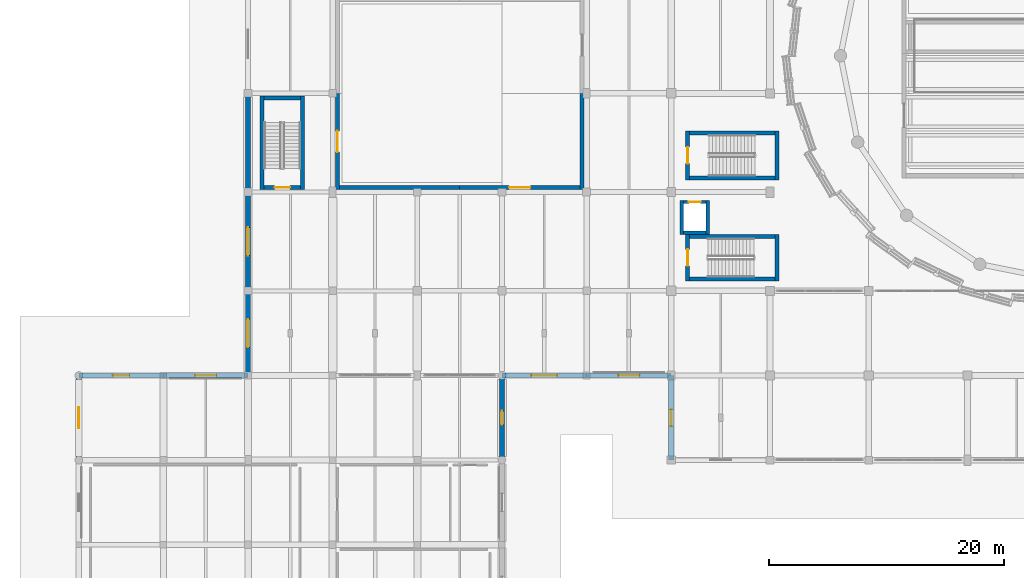
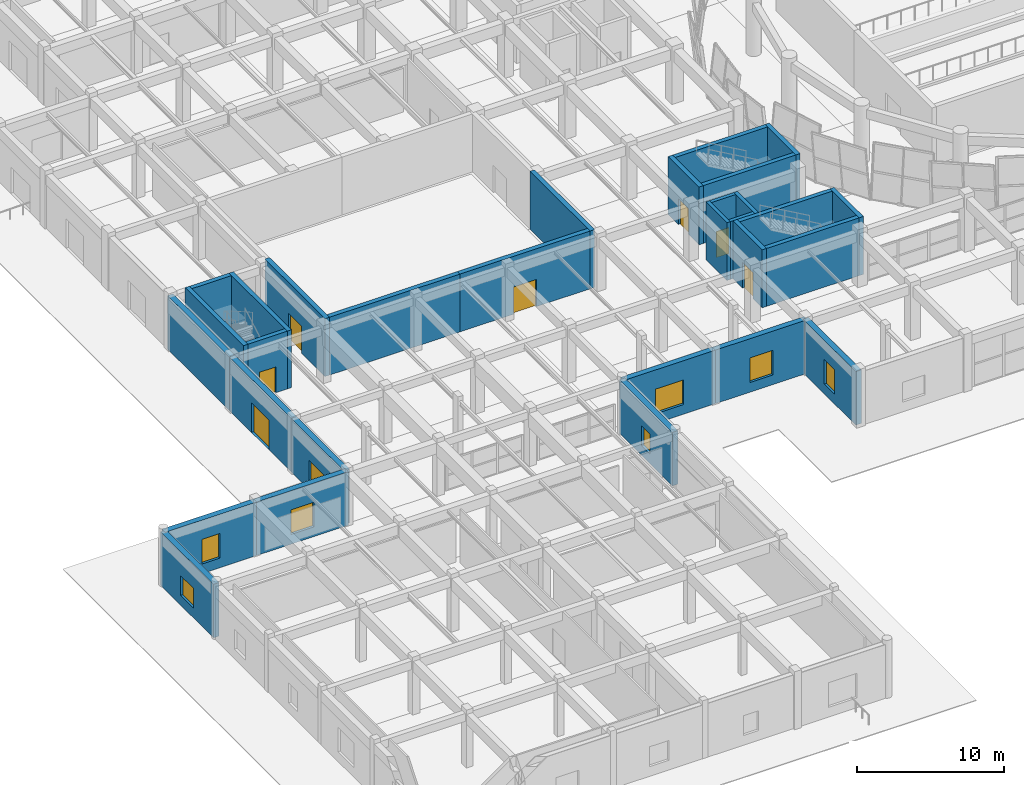
# One storey, part 46 of 72: 30 walls, 8 doors, 7 windows, 15 openings.
"""IFC4 building model written with IfcOpenShell, lengths in metres."""

from ifc_helpers import new_model, si_unit, direction, frame, frame_2d, origin, place, context, subcontext, project, spatial, rectangle, extrude, material, layer, layer_set, type_object, element, fill, save


model = new_model("IFC4")

# Units and contexts
model_context = context("Model", 3, precision=1e-05, world=origin(), true_north=direction((0.0, 1.0)))
body_context = subcontext(model_context, "Body", "Model", "MODEL_VIEW")
ifc_project = project(units=[si_unit("LENGTHUNIT", "METRE"), si_unit("AREAUNIT", "SQUARE_METRE"), si_unit("VOLUMEUNIT", "CUBIC_METRE"), si_unit("PLANEANGLEUNIT", "RADIAN"), si_unit("MASSUNIT", "GRAM", prefix="KILO")], contexts=[model_context])

# Site, building, storey
site_placement = place(None, origin())
site = spatial("IfcSite", under=ifc_project, at=site_placement, CompositionType="ELEMENT")
building_placement = place(site_placement, origin())
building = spatial("IfcBuilding", under=site, at=building_placement, Name="Korsvaeld Concert Hall", CompositionType="ELEMENT")
storey_placement = place(building_placement, origin())
storey = spatial("IfcBuildingStorey", under=building, at=storey_placement, Name="L00", CompositionType="ELEMENT", Elevation=0.0)

# Walls
ifc_material_1 = material(Name="Concrete C40/50", Category="concrete")
ifc_layer_1 = layer(ifc_material_1, 0.340087890625)
ifc_layer_set_1 = layer_set([ifc_layer_1], Name="Concrete C40/50")
wall_type_1 = type_object("IfcWallType", Name="WL-CORE-340", PredefinedType="SHEAR", material=ifc_layer_set_1)
wall_1_placement = place(storey_placement, frame((51.969970703125, 44.199951171875, 0.0), z_axis=(0.0, 0.0, 1.0), x_axis=(1.0, 0.0, 0.0)))
element("IfcWall", 1, at=wall_1_placement, inside=storey, type_object=wall_type_1, Name="Core K3 shear wall L00 S", PredefinedType="SHEAR", context=body_context, shape_type="SweptSolid", body=[
    extrude(rectangle(XDim=7.260009765625, YDim=0.340087890625, at=frame_2d((3.6298828125, 0.0))), origin(), (0.0, 0.0, 1.0), 4.800048828125),
])
wall_2_placement = place(storey_placement, frame((59.39990234375, 44.030029296875, 0.0), z_axis=(0.0, 0.0, 1.0), x_axis=(0.0, 1.0, 0.0)))
element("IfcWall", 2, at=wall_2_placement, inside=storey, type_object=wall_type_1, Name="Core K3 shear wall L00 E", PredefinedType="SHEAR", context=body_context, shape_type="SweptSolid", body=[
    extrude(rectangle(XDim=3.97998046875, YDim=0.340087890625, at=frame_2d((1.989990234375, 0.0))), origin(), (0.0, 0.0, 1.0), 4.800048828125),
])
wall_3_placement = place(storey_placement, frame((59.22998046875, 47.840087890625, 0.0), z_axis=(0.0, 0.0, 1.0), x_axis=(-1.0, 0.0, 0.0)))
element("IfcWall", 3, at=wall_3_placement, inside=storey, type_object=wall_type_1, Name="Core K3 shear wall L00 N", PredefinedType="SHEAR", context=body_context, shape_type="SweptSolid", body=[
    extrude(rectangle(XDim=7.260009765625, YDim=0.340087890625, at=frame_2d((3.6298828125, 0.0))), origin(), (0.0, 0.0, 1.0), 4.800048828125),
])

# Wall, opening, door
wall_4_placement = place(storey_placement, frame((51.800048828125, 48.010009765625, 0.0), z_axis=(0.0, 0.0, 1.0), x_axis=(0.0, -1.0, 0.0)))
wall_4 = element("IfcWall", 4, at=wall_4_placement, inside=storey, type_object=wall_type_1, Name="Core K3 shear wall L00 W", PredefinedType="SHEAR", context=body_context, shape_type="SweptSolid", body=[
    extrude(rectangle(XDim=3.97998046875, YDim=0.340087890625, at=frame_2d((1.989990234375, 0.0))), origin(), (0.0, 0.0, 1.0), 4.800048828125),
])
opening_1_placement = place(wall_4_placement, frame((1.2900390625, 0.0, 0.0)))
opening_1 = element("IfcOpeningElement", 5, at=opening_1_placement, cuts=wall_4, Name="Opening FD-02", PredefinedType="OPENING", context=body_context, shape_type="SweptSolid", body=[
    extrude(rectangle(XDim=1.39990234375, YDim=2.14990234375, at=frame_2d((0.699951171875, 1.074951171875))), frame((0.0, 0.18017578125, 0.0), z_axis=(0.0, -1.0, 0.0), x_axis=(1.0, 0.0, 0.0)), (0.0, 0.0, 1.0), 0.360107421875),
])
ifc_material_2 = material(Name="Acoustic steel and oak fire door", Category="steel")
door_type_1 = type_object("IfcDoorType", Name="DR-FD-STAIR-140x215", OperationType="NOTDEFINED", PredefinedType="DOOR", material=ifc_material_2)
door_1_placement = place(opening_1_placement, frame((1.39990234375, 0.0, 0.0), z_axis=(0.0, 0.0, 1.0), x_axis=(-1.0, 0.0, 0.0)))
door_1 = element("IfcDoor", 6, at=door_1_placement, inside=storey, type_object=door_type_1, Name="Escape stair ST-K3 fire door L00", OperationType="SINGLE_SWING_RIGHT", OverallHeight=2.14990234375, OverallWidth=1.39990234375, PredefinedType="DOOR", context=body_context, shape_type="SweptSolid", body=[
    extrude(rectangle(XDim=1.39990234375, YDim=2.14990234375, at=frame_2d((0.699951171875, 1.074951171875))), frame((0.0, 0.02490234375, 0.0), z_axis=(0.0, -1.0, 0.0), x_axis=(1.0, 0.0, 0.0)), (0.0, 0.0, 1.0), 0.050048828125),
])
fill(opening_1, door_1)

# Walls
wall_5_placement = place(storey_placement, frame((51.969970703125, 52.800048828125, 0.0), z_axis=(0.0, 0.0, 1.0), x_axis=(1.0, 0.0, 0.0)))
element("IfcWall", 7, at=wall_5_placement, inside=storey, type_object=wall_type_1, Name="Core F1 shear wall L00 S", PredefinedType="SHEAR", context=body_context, shape_type="SweptSolid", body=[
    extrude(rectangle(XDim=7.260009765625, YDim=0.340087890625, at=frame_2d((3.6298828125, 0.0))), origin(), (0.0, 0.0, 1.0), 4.800048828125),
])
wall_6_placement = place(storey_placement, frame((59.39990234375, 52.6298828125, 0.0), z_axis=(0.0, 0.0, 1.0), x_axis=(0.0, 1.0, 0.0)))
element("IfcWall", 8, at=wall_6_placement, inside=storey, type_object=wall_type_1, Name="Core F1 shear wall L00 E", PredefinedType="SHEAR", context=body_context, shape_type="SweptSolid", body=[
    extrude(rectangle(XDim=4.18017578125, YDim=0.340087890625, at=frame_2d((2.090087890625, 0.0))), origin(), (0.0, 0.0, 1.0), 4.800048828125),
])
wall_7_placement = place(storey_placement, frame((59.22998046875, 56.639892578125, 0.0), z_axis=(0.0, 0.0, 1.0), x_axis=(-1.0, 0.0, 0.0)))
element("IfcWall", 9, at=wall_7_placement, inside=storey, type_object=wall_type_1, Name="Core F1 shear wall L00 N", PredefinedType="SHEAR", context=body_context, shape_type="SweptSolid", body=[
    extrude(rectangle(XDim=7.260009765625, YDim=0.340087890625, at=frame_2d((3.6298828125, 0.0))), origin(), (0.0, 0.0, 1.0), 4.800048828125),
])

# Wall, opening, door
wall_8_placement = place(storey_placement, frame((51.800048828125, 56.81005859375, 0.0), z_axis=(0.0, 0.0, 1.0), x_axis=(0.0, -1.0, 0.0)))
wall_8 = element("IfcWall", 10, at=wall_8_placement, inside=storey, type_object=wall_type_1, Name="Core F1 shear wall L00 W", PredefinedType="SHEAR", context=body_context, shape_type="SweptSolid", body=[
    extrude(rectangle(XDim=4.18017578125, YDim=0.340087890625, at=frame_2d((2.090087890625, 0.0))), origin(), (0.0, 0.0, 1.0), 4.800048828125),
])
opening_2_placement = place(wall_8_placement, frame((1.389892578125, 0.0, 0.0)))
opening_2 = element("IfcOpeningElement", 11, at=opening_2_placement, cuts=wall_8, Name="Opening FD-02", PredefinedType="OPENING", context=body_context, shape_type="SweptSolid", body=[
    extrude(rectangle(XDim=1.39990234375, YDim=2.14990234375, at=frame_2d((0.699951171875, 1.074951171875))), frame((0.0, 0.18017578125, 0.0), z_axis=(0.0, -1.0, 0.0), x_axis=(1.0, 0.0, 0.0)), (0.0, 0.0, 1.0), 0.360107421875),
])
door_2_placement = place(opening_2_placement, frame((1.39990234375, 0.0, 0.0), z_axis=(0.0, 0.0, 1.0), x_axis=(-1.0, 0.0, 0.0)))
door_2 = element("IfcDoor", 12, at=door_2_placement, inside=storey, type_object=door_type_1, Name="Escape stair ST-F1 fire door L00", OperationType="SINGLE_SWING_LEFT", OverallHeight=2.14990234375, OverallWidth=1.39990234375, PredefinedType="DOOR", context=body_context, shape_type="SweptSolid", body=[
    extrude(rectangle(XDim=1.39990234375, YDim=2.14990234375, at=frame_2d((0.699951171875, 1.074951171875))), frame((0.0, 0.02490234375, 0.0), z_axis=(0.0, -1.0, 0.0), x_axis=(1.0, 0.0, 0.0)), (0.0, 0.0, 1.0), 0.050048828125),
])
fill(opening_2, door_2)

wall_9_placement = place(storey_placement, frame((15.77001953125, 52.0, 0.0), z_axis=(0.0, 0.0, 1.0), x_axis=(1.0, 0.0, 0.0)))
wall_9 = element("IfcWall", 13, at=wall_9_placement, inside=storey, type_object=wall_type_1, Name="Core V3S shear wall L00 S", PredefinedType="SHEAR", context=body_context, shape_type="SweptSolid", body=[
    extrude(rectangle(XDim=3.10009765625, YDim=0.340087890625, at=frame_2d((1.550048828125, 0.0))), origin(), (0.0, 0.0, 1.0), 4.800048828125),
])
opening_3_placement = place(wall_9_placement, frame((0.89990234375, 0.0, 0.0)))
opening_3 = element("IfcOpeningElement", 14, at=opening_3_placement, cuts=wall_9, Name="Opening FD-01", PredefinedType="OPENING", context=body_context, shape_type="SweptSolid", body=[
    extrude(rectangle(XDim=1.300048828125, YDim=2.14990234375, at=frame_2d((0.64990234375, 1.074951171875))), frame((0.0, 0.18017578125, 0.0), z_axis=(0.0, -1.0, 0.0), x_axis=(1.0, 0.0, 0.0)), (0.0, 0.0, 1.0), 0.360107421875),
])
door_type_2 = type_object("IfcDoorType", Name="DR-FD-STAIR-130x215", OperationType="NOTDEFINED", PredefinedType="DOOR", material=ifc_material_2)
door_3_placement = place(opening_3_placement, frame((1.300048828125, 0.0, 0.0), z_axis=(0.0, 0.0, 1.0), x_axis=(-1.0, 0.0, 0.0)))
door_3 = element("IfcDoor", 15, at=door_3_placement, inside=storey, type_object=door_type_2, Name="Escape stair ST-F3 fire door L00", OperationType="SINGLE_SWING_LEFT", OverallHeight=2.14990234375, OverallWidth=1.300048828125, PredefinedType="DOOR", context=body_context, shape_type="SweptSolid", body=[
    extrude(rectangle(XDim=1.300048828125, YDim=2.14990234375, at=frame_2d((0.64990234375, 1.074951171875))), frame((0.0, 0.02490234375, 0.0), z_axis=(0.0, -1.0, 0.0), x_axis=(1.0, 0.0, 0.0)), (0.0, 0.0, 1.0), 0.050048828125),
])
fill(opening_3, door_3)

# Walls
wall_10_placement = place(storey_placement, frame((19.0400390625, 51.830078125, 0.0), z_axis=(0.0, 0.0, 1.0), x_axis=(0.0, 1.0, 0.0)))
element("IfcWall", 16, at=wall_10_placement, inside=storey, type_object=wall_type_1, Name="Core V3S shear wall L00 E", PredefinedType="SHEAR", context=body_context, shape_type="SweptSolid", body=[
    extrude(rectangle(XDim=7.93994140625, YDim=0.340087890625, at=frame_2d((3.969970703125, 0.0))), origin(), (0.0, 0.0, 1.0), 4.800048828125),
])
wall_11_placement = place(storey_placement, frame((18.8701171875, 59.60009765625, 0.0), z_axis=(0.0, 0.0, 1.0), x_axis=(-1.0, 0.0, 0.0)))
element("IfcWall", 17, at=wall_11_placement, inside=storey, type_object=wall_type_1, Name="Core V3S shear wall L00 N", PredefinedType="SHEAR", context=body_context, shape_type="SweptSolid", body=[
    extrude(rectangle(XDim=3.10009765625, YDim=0.340087890625, at=frame_2d((1.550048828125, 0.0))), origin(), (0.0, 0.0, 1.0), 4.800048828125),
])
wall_12_placement = place(storey_placement, frame((15.60009765625, 59.77001953125, 0.0), z_axis=(0.0, 0.0, 1.0), x_axis=(0.0, -1.0, 0.0)))
element("IfcWall", 18, at=wall_12_placement, inside=storey, type_object=wall_type_1, Name="Core V3S shear wall L00 W", PredefinedType="SHEAR", context=body_context, shape_type="SweptSolid", body=[
    extrude(rectangle(XDim=7.93994140625, YDim=0.340087890625, at=frame_2d((3.969970703125, 0.0))), origin(), (0.0, 0.0, 1.0), 4.800048828125),
])

# Wall, opening, door
ifc_material_3 = material(Name="Coastal dark grey granite plinth on Concrete C35/45", Category="masonry")
ifc_layer_2 = layer(ifc_material_3, 0.43994140625)
ifc_layer_set_2 = layer_set([ifc_layer_2], Name="Coastal dark grey granite plinth on Concrete C35/45")
wall_type_2 = type_object("IfcWallType", Name="WL-EXT-GRAN-440", PredefinedType="STANDARD", material=ifc_layer_set_2)
wall_13_placement = place(storey_placement, frame((14.39990234375, 36.0, 0.0), z_axis=(0.0, 0.0, 1.0), x_axis=(0.0, 1.0, 0.0)))
wall_13 = element("IfcWall", 19, at=wall_13_placement, inside=storey, type_object=wall_type_2, Name="Exterior sandstone wall L00-053", PredefinedType="STANDARD", context=body_context, shape_type="SweptSolid", body=[
    extrude(rectangle(XDim=7.199951171875, YDim=0.43994140625, at=frame_2d((3.60009765625, 0.0))), origin(), (0.0, 0.0, 1.0), 4.43994140625),
])
opening_4_placement = place(wall_13_placement, frame((2.39990234375, 0.0, 0.0)))
opening_4 = element("IfcOpeningElement", 20, at=opening_4_placement, cuts=wall_13, Name="Opening ED-01", PredefinedType="OPENING", context=body_context, shape_type="SweptSolid", body=[
    extrude(rectangle(XDim=2.39990234375, YDim=2.449951171875, at=frame_2d((1.199951171875, 1.22509765625))), frame((0.0, 0.22998046875, 0.0), z_axis=(0.0, -1.0, 0.0), x_axis=(1.0, 0.0, 0.0)), (0.0, 0.0, 1.0), 0.4599609375),
])
ifc_material_4 = material(Name="Anodised bronze glazed exit door")
door_type_3 = type_object("IfcDoorType", Name="DR-EXT-240x245", OperationType="DOUBLE_DOOR_SINGLE_SWING", PredefinedType="DOOR", material=ifc_material_4)
door_4_placement = place(opening_4_placement, frame((2.39990234375, 0.0, 0.0), z_axis=(0.0, 0.0, 1.0), x_axis=(-1.0, 0.0, 0.0)))
door_4 = element("IfcDoor", 21, at=door_4_placement, inside=storey, type_object=door_type_3, Name="Ground plaza pedestrian exit door EX-01", OperationType="DOUBLE_DOOR_SINGLE_SWING", OverallHeight=2.449951171875, OverallWidth=2.39990234375, PredefinedType="DOOR", context=body_context, shape_type="SweptSolid", body=[
    extrude(rectangle(XDim=2.39990234375, YDim=2.449951171875, at=frame_2d((1.199951171875, 1.22509765625))), frame((0.0, 0.02490234375, 0.0), z_axis=(0.0, -1.0, 0.0), x_axis=(1.0, 0.0, 0.0)), (0.0, 0.0, 1.0), 0.050048828125),
])
fill(opening_4, door_4)

wall_14_placement = place(storey_placement, frame((14.39990234375, 43.199951171875, 0.0), z_axis=(0.0, 0.0, 1.0), x_axis=(0.0, 1.0, 0.0)))
wall_14 = element("IfcWall", 22, at=wall_14_placement, inside=storey, type_object=wall_type_2, Name="Exterior sandstone wall L00-054", PredefinedType="STANDARD", context=body_context, shape_type="SweptSolid", body=[
    extrude(rectangle(XDim=8.400146484375, YDim=0.43994140625, at=frame_2d((4.2001953125, 0.0))), origin(), (0.0, 0.0, 1.0), 4.43994140625),
])
opening_5_placement = place(wall_14_placement, frame((3.0, 0.0, 0.0)))
opening_5 = element("IfcOpeningElement", 23, at=opening_5_placement, cuts=wall_14, Name="Opening ED-01", PredefinedType="OPENING", context=body_context, shape_type="SweptSolid", body=[
    extrude(rectangle(XDim=2.39990234375, YDim=2.449951171875, at=frame_2d((1.199951171875, 1.22509765625))), frame((0.0, 0.22998046875, 0.0), z_axis=(0.0, -1.0, 0.0), x_axis=(1.0, 0.0, 0.0)), (0.0, 0.0, 1.0), 0.4599609375),
])
door_5_placement = place(opening_5_placement, frame((2.39990234375, 0.0, 0.0), z_axis=(0.0, 0.0, 1.0), x_axis=(-1.0, 0.0, 0.0)))
door_5 = element("IfcDoor", 24, at=door_5_placement, inside=storey, type_object=door_type_3, Name="Ground plaza pedestrian exit door EX-02", OperationType="DOUBLE_DOOR_SINGLE_SWING", OverallHeight=2.449951171875, OverallWidth=2.39990234375, PredefinedType="DOOR", context=body_context, shape_type="SweptSolid", body=[
    extrude(rectangle(XDim=2.39990234375, YDim=2.449951171875, at=frame_2d((1.199951171875, 1.22509765625))), frame((0.0, 0.02490234375, 0.0), z_axis=(0.0, -1.0, 0.0), x_axis=(1.0, 0.0, 0.0)), (0.0, 0.0, 1.0), 0.050048828125),
])
fill(opening_5, door_5)

# Wall
wall_15_placement = place(storey_placement, frame((14.39990234375, 51.60009765625, 0.0), z_axis=(0.0, 0.0, 1.0), x_axis=(0.0, 1.0, 0.0)))
element("IfcWall", 25, at=wall_15_placement, inside=storey, type_object=wall_type_2, Name="Exterior sandstone wall L00-055", PredefinedType="STANDARD", context=body_context, shape_type="SweptSolid", body=[
    extrude(rectangle(XDim=8.39990234375, YDim=0.43994140625, at=frame_2d((4.199951171875, 0.0))), origin(), (0.0, 0.0, 1.0), 4.43994140625),
])

# Wall, opening, window
wall_16_placement = place(storey_placement, frame((50.39990234375, 28.800048828125, 0.0), z_axis=(0.0, 0.0, 1.0), x_axis=(0.0, 1.0, 0.0)))
wall_16 = element("IfcWall", 26, at=wall_16_placement, inside=storey, type_object=wall_type_2, Name="Exterior sandstone wall L00-119", PredefinedType="STANDARD", context=body_context, shape_type="SweptSolid", body=[
    extrude(rectangle(XDim=7.199951171875, YDim=0.43994140625, at=frame_2d((3.60009765625, 0.0))), origin(), (0.0, 0.0, 1.0), 4.43994140625),
])
opening_6_placement = place(wall_16_placement, frame((2.89990234375, 0.0, 0.800048828125)))
opening_6 = element("IfcOpeningElement", 27, at=opening_6_placement, cuts=wall_16, Name="Opening WN-11", PredefinedType="OPENING", context=body_context, shape_type="SweptSolid", body=[
    extrude(rectangle(XDim=1.39990234375, YDim=2.050048828125, at=frame_2d((0.699951171875, 1.02490234375))), frame((0.0, 0.22998046875, 0.0), z_axis=(0.0, -1.0, 0.0), x_axis=(1.0, 0.0, 0.0)), (0.0, 0.0, 1.0), 0.4599609375),
])
ifc_material_5 = material(Name="Anodised bronze frame with acoustic triple glazing", Category="glass")
window_type_1 = type_object("IfcWindowType", Name="WIN-AC-140x205", PartitioningType="SINGLE_PANEL", PredefinedType="WINDOW", material=ifc_material_5)
window_1_placement = place(opening_6_placement, origin())
window_1 = element("IfcWindow", 28, at=window_1_placement, inside=storey, type_object=window_type_1, Name="Acoustic triple-glazed window L00-030", OverallHeight=2.050048828125, OverallWidth=1.39990234375, PartitioningType="SINGLE_PANEL", PredefinedType="WINDOW", context=body_context, shape_type="SweptSolid", body=[
    extrude(rectangle(XDim=1.39990234375, YDim=2.050048828125, at=frame_2d((0.699951171875, 1.02490234375))), frame((0.0, 0.030029296875, 0.0), z_axis=(0.0, -1.0, 0.0), x_axis=(1.0, 0.0, 0.0)), (0.0, 0.0, 1.0), 0.06005859375),
])
fill(opening_6, window_1)

wall_17_placement = place(storey_placement, frame((50.39990234375, 36.0, 0.0), z_axis=(0.0, 0.0, 1.0), x_axis=(-1.0, 0.0, 0.0)))
wall_17 = element("IfcWall", 29, at=wall_17_placement, inside=storey, type_object=wall_type_2, Name="Exterior sandstone wall L00-120", PredefinedType="STANDARD", context=body_context, shape_type="SweptSolid", body=[
    extrude(rectangle(XDim=7.199951171875, YDim=0.43994140625, at=frame_2d((3.60009765625, 0.0))), origin(), (0.0, 0.0, 1.0), 4.43994140625),
])
opening_7_placement = place(wall_17_placement, frame((2.699951171875, 0.0, 0.800048828125)))
opening_7 = element("IfcOpeningElement", 30, at=opening_7_placement, cuts=wall_17, Name="Opening WN-12", PredefinedType="OPENING", context=body_context, shape_type="SweptSolid", body=[
    extrude(rectangle(XDim=1.800048828125, YDim=2.050048828125, at=frame_2d((0.89990234375, 1.02490234375))), frame((0.0, 0.22998046875, 0.0), z_axis=(0.0, -1.0, 0.0), x_axis=(1.0, 0.0, 0.0)), (0.0, 0.0, 1.0), 0.4599609375),
])
window_type_2 = type_object("IfcWindowType", Name="WIN-AC-180x205", PartitioningType="SINGLE_PANEL", PredefinedType="WINDOW", material=ifc_material_5)
window_2_placement = place(opening_7_placement, origin())
window_2 = element("IfcWindow", 31, at=window_2_placement, inside=storey, type_object=window_type_2, Name="Acoustic triple-glazed window L00-031", OverallHeight=2.050048828125, OverallWidth=1.800048828125, PartitioningType="SINGLE_PANEL", PredefinedType="WINDOW", context=body_context, shape_type="SweptSolid", body=[
    extrude(rectangle(XDim=1.800048828125, YDim=2.050048828125, at=frame_2d((0.89990234375, 1.02490234375))), frame((0.0, 0.030029296875, 0.0), z_axis=(0.0, -1.0, 0.0), x_axis=(1.0, 0.0, 0.0)), (0.0, 0.0, 1.0), 0.06005859375),
])
fill(opening_7, window_2)

wall_18_placement = place(storey_placement, frame((43.199951171875, 36.0, 0.0), z_axis=(0.0, 0.0, 1.0), x_axis=(-1.0, 0.0, 0.0)))
wall_18 = element("IfcWall", 32, at=wall_18_placement, inside=storey, type_object=wall_type_2, Name="Exterior sandstone wall L00-121", PredefinedType="STANDARD", context=body_context, shape_type="SweptSolid", body=[
    extrude(rectangle(XDim=7.199951171875, YDim=0.43994140625, at=frame_2d((3.60009765625, 0.0))), origin(), (0.0, 0.0, 1.0), 4.43994140625),
])
opening_8_placement = place(wall_18_placement, frame((2.5, 0.0, 0.800048828125)))
opening_8 = element("IfcOpeningElement", 33, at=opening_8_placement, cuts=wall_18, Name="Opening WN-13", PredefinedType="OPENING", context=body_context, shape_type="SweptSolid", body=[
    extrude(rectangle(XDim=2.199951171875, YDim=2.050048828125, at=frame_2d((1.10009765625, 1.02490234375))), frame((0.0, 0.22998046875, 0.0), z_axis=(0.0, -1.0, 0.0), x_axis=(1.0, 0.0, 0.0)), (0.0, 0.0, 1.0), 0.4599609375),
])
window_type_3 = type_object("IfcWindowType", Name="WIN-AC-220x205", PartitioningType="SINGLE_PANEL", PredefinedType="WINDOW", material=ifc_material_5)
window_3_placement = place(opening_8_placement, origin())
window_3 = element("IfcWindow", 34, at=window_3_placement, inside=storey, type_object=window_type_3, Name="Acoustic triple-glazed window L00-032", OverallHeight=2.050048828125, OverallWidth=2.199951171875, PartitioningType="SINGLE_PANEL", PredefinedType="WINDOW", context=body_context, shape_type="SweptSolid", body=[
    extrude(rectangle(XDim=2.199951171875, YDim=2.050048828125, at=frame_2d((1.10009765625, 1.02490234375))), frame((0.0, 0.030029296875, 0.0), z_axis=(0.0, -1.0, 0.0), x_axis=(1.0, 0.0, 0.0)), (0.0, 0.0, 1.0), 0.06005859375),
])
fill(opening_8, window_3)

wall_19_placement = place(storey_placement, frame((36.0, 36.0, 0.0), z_axis=(0.0, 0.0, 1.0), x_axis=(0.0, -1.0, 0.0)))
wall_19 = element("IfcWall", 35, at=wall_19_placement, inside=storey, type_object=wall_type_2, Name="Exterior sandstone wall L00-122", PredefinedType="STANDARD", context=body_context, shape_type="SweptSolid", body=[
    extrude(rectangle(XDim=7.199951171875, YDim=0.43994140625, at=frame_2d((3.60009765625, 0.0))), origin(), (0.0, 0.0, 1.0), 4.43994140625),
])
opening_9_placement = place(wall_19_placement, frame((3.0, 0.0, 0.800048828125)))
opening_9 = element("IfcOpeningElement", 36, at=opening_9_placement, cuts=wall_19, Name="Opening WN-01", PredefinedType="OPENING", context=body_context, shape_type="SweptSolid", body=[
    extrude(rectangle(XDim=1.199951171875, YDim=1.64990234375, at=frame_2d((0.60009765625, 0.824951171875))), frame((0.0, 0.22998046875, 0.0), z_axis=(0.0, -1.0, 0.0), x_axis=(1.0, 0.0, 0.0)), (0.0, 0.0, 1.0), 0.4599609375),
])
window_type_4 = type_object("IfcWindowType", Name="WIN-AC-120x165", PartitioningType="SINGLE_PANEL", PredefinedType="WINDOW", material=ifc_material_5)
window_4_placement = place(opening_9_placement, origin())
window_4 = element("IfcWindow", 37, at=window_4_placement, inside=storey, type_object=window_type_4, Name="Acoustic triple-glazed window L00-033", OverallHeight=1.64990234375, OverallWidth=1.199951171875, PartitioningType="SINGLE_PANEL", PredefinedType="WINDOW", context=body_context, shape_type="SweptSolid", body=[
    extrude(rectangle(XDim=1.199951171875, YDim=1.64990234375, at=frame_2d((0.60009765625, 0.824951171875))), frame((0.0, 0.030029296875, 0.0), z_axis=(0.0, -1.0, 0.0), x_axis=(1.0, 0.0, 0.0)), (0.0, 0.0, 1.0), 0.06005859375),
])
fill(opening_9, window_4)

wall_20_placement = place(storey_placement, frame((0.0, 28.800048828125, 0.0), z_axis=(0.0, 0.0, 1.0), x_axis=(0.0, 1.0, 0.0)))
wall_20 = element("IfcWall", 38, at=wall_20_placement, inside=storey, type_object=wall_type_2, Name="Exterior sandstone wall L00-136", PredefinedType="STANDARD", context=body_context, shape_type="SweptSolid", body=[
    extrude(rectangle(XDim=7.199951171875, YDim=0.43994140625, at=frame_2d((3.60009765625, 0.0))), origin(), (0.0, 0.0, 1.0), 4.43994140625),
])
opening_10_placement = place(wall_20_placement, frame((2.699951171875, 0.0, 0.800048828125)))
opening_10 = element("IfcOpeningElement", 39, at=opening_10_placement, cuts=wall_20, Name="Opening WN-03", PredefinedType="OPENING", context=body_context, shape_type="SweptSolid", body=[
    extrude(rectangle(XDim=1.800048828125, YDim=1.64990234375, at=frame_2d((0.89990234375, 0.824951171875))), frame((0.0, 0.22998046875, 0.0), z_axis=(0.0, -1.0, 0.0), x_axis=(1.0, 0.0, 0.0)), (0.0, 0.0, 1.0), 0.4599609375),
])
window_type_5 = type_object("IfcWindowType", Name="WIN-AC-180x165", PartitioningType="SINGLE_PANEL", PredefinedType="WINDOW", material=ifc_material_5)
window_5_placement = place(opening_10_placement, origin())
window_5 = element("IfcWindow", 40, at=window_5_placement, inside=storey, type_object=window_type_5, Name="Acoustic triple-glazed window L00-047", OverallHeight=1.64990234375, OverallWidth=1.800048828125, PartitioningType="SINGLE_PANEL", PredefinedType="WINDOW", context=body_context, shape_type="SweptSolid", body=[
    extrude(rectangle(XDim=1.800048828125, YDim=1.64990234375, at=frame_2d((0.89990234375, 0.824951171875))), frame((0.0, 0.030029296875, 0.0), z_axis=(0.0, -1.0, 0.0), x_axis=(1.0, 0.0, 0.0)), (0.0, 0.0, 1.0), 0.06005859375),
])
fill(opening_10, window_5)

wall_21_placement = place(storey_placement, frame((0.0, 36.0, 0.0), z_axis=(0.0, 0.0, 1.0), x_axis=(1.0, 0.0, 0.0)))
wall_21 = element("IfcWall", 41, at=wall_21_placement, inside=storey, type_object=wall_type_2, Name="Exterior sandstone wall L00-137", PredefinedType="STANDARD", context=body_context, shape_type="SweptSolid", body=[
    extrude(rectangle(XDim=7.199951171875, YDim=0.43994140625, at=frame_2d((3.60009765625, 0.0))), origin(), (0.0, 0.0, 1.0), 4.43994140625),
])
opening_11_placement = place(wall_21_placement, frame((2.89990234375, 0.0, 0.800048828125)))
opening_11 = element("IfcOpeningElement", 42, at=opening_11_placement, cuts=wall_21, Name="Opening WN-11", PredefinedType="OPENING", context=body_context, shape_type="SweptSolid", body=[
    extrude(rectangle(XDim=1.39990234375, YDim=2.050048828125, at=frame_2d((0.699951171875, 1.02490234375))), frame((0.0, 0.22998046875, 0.0), z_axis=(0.0, -1.0, 0.0), x_axis=(1.0, 0.0, 0.0)), (0.0, 0.0, 1.0), 0.4599609375),
])
window_6_placement = place(opening_11_placement, origin())
window_6 = element("IfcWindow", 43, at=window_6_placement, inside=storey, type_object=window_type_1, Name="Acoustic triple-glazed window L00-048", OverallHeight=2.050048828125, OverallWidth=1.39990234375, PartitioningType="SINGLE_PANEL", PredefinedType="WINDOW", context=body_context, shape_type="SweptSolid", body=[
    extrude(rectangle(XDim=1.39990234375, YDim=2.050048828125, at=frame_2d((0.699951171875, 1.02490234375))), frame((0.0, 0.030029296875, 0.0), z_axis=(0.0, -1.0, 0.0), x_axis=(1.0, 0.0, 0.0)), (0.0, 0.0, 1.0), 0.06005859375),
])
fill(opening_11, window_6)

wall_22_placement = place(storey_placement, frame((7.199951171875, 36.0, 0.0), z_axis=(0.0, 0.0, 1.0), x_axis=(1.0, 0.0, 0.0)))
wall_22 = element("IfcWall", 44, at=wall_22_placement, inside=storey, type_object=wall_type_2, Name="Exterior sandstone wall L00-138", PredefinedType="STANDARD", context=body_context, shape_type="SweptSolid", body=[
    extrude(rectangle(XDim=7.199951171875, YDim=0.43994140625, at=frame_2d((3.60009765625, 0.0))), origin(), (0.0, 0.0, 1.0), 4.43994140625),
])
opening_12_placement = place(wall_22_placement, frame((2.699951171875, 0.0, 0.800048828125)))
opening_12 = element("IfcOpeningElement", 45, at=opening_12_placement, cuts=wall_22, Name="Opening WN-12", PredefinedType="OPENING", context=body_context, shape_type="SweptSolid", body=[
    extrude(rectangle(XDim=1.800048828125, YDim=2.050048828125, at=frame_2d((0.89990234375, 1.02490234375))), frame((0.0, 0.22998046875, 0.0), z_axis=(0.0, -1.0, 0.0), x_axis=(1.0, 0.0, 0.0)), (0.0, 0.0, 1.0), 0.4599609375),
])
window_7_placement = place(opening_12_placement, origin())
window_7 = element("IfcWindow", 46, at=window_7_placement, inside=storey, type_object=window_type_2, Name="Acoustic triple-glazed window L00-049", OverallHeight=2.050048828125, OverallWidth=1.800048828125, PartitioningType="SINGLE_PANEL", PredefinedType="WINDOW", context=body_context, shape_type="SweptSolid", body=[
    extrude(rectangle(XDim=1.800048828125, YDim=2.050048828125, at=frame_2d((0.89990234375, 1.02490234375))), frame((0.0, 0.030029296875, 0.0), z_axis=(0.0, -1.0, 0.0), x_axis=(1.0, 0.0, 0.0)), (0.0, 0.0, 1.0), 0.06005859375),
])
fill(opening_12, window_7)

# Wall
ifc_material_6 = material(Name="Bornholm Nexo crimson sandstone on Concrete C40/50", Category="masonry")
ifc_layer_3 = layer(ifc_material_6, 0.360107421875)
ifc_layer_set_3 = layer_set([ifc_layer_3], Name="Bornholm Nexo crimson sandstone on Concrete C40/50")
wall_type_3 = type_object("IfcWallType", Name="WL-HALL-360", PredefinedType="SHEAR", material=ifc_layer_set_3)
wall_23_placement = place(storey_placement, frame((22.179931640625, 52.0, 0.0), z_axis=(0.0, 0.0, 1.0), x_axis=(1.0, 0.0, 0.0)))
element("IfcWall", 47, at=wall_23_placement, inside=storey, type_object=wall_type_3, Name="Acoustic hall box wall V3H L00 S.1", PredefinedType="SHEAR", context=body_context, shape_type="SweptSolid", body=[
    extrude(rectangle(XDim=10.219970703125, YDim=0.360107421875, at=frame_2d((5.10986328125, 0.0))), origin(), (0.0, 0.0, 1.0), 4.800048828125),
])

# Wall, opening, door
wall_24_placement = place(storey_placement, frame((32.39990234375, 52.0, 0.0), z_axis=(0.0, 0.0, 1.0), x_axis=(1.0, 0.0, 0.0)))
wall_24 = element("IfcWall", 48, at=wall_24_placement, inside=storey, type_object=wall_type_3, Name="Acoustic hall box wall V3H L00 S.2", PredefinedType="SHEAR", context=body_context, shape_type="SweptSolid", body=[
    extrude(rectangle(XDim=10.22021484375, YDim=0.360107421875, at=frame_2d((5.110107421875, 0.0))), origin(), (0.0, 0.0, 1.0), 4.800048828125),
])
opening_13_placement = place(wall_24_placement, frame((4.2099609375, 0.0, 0.0)))
opening_13 = element("IfcOpeningElement", 49, at=opening_13_placement, cuts=wall_24, Name="Opening FD-03", PredefinedType="OPENING", context=body_context, shape_type="SweptSolid", body=[
    extrude(rectangle(XDim=1.800048828125, YDim=2.25, at=frame_2d((0.89990234375, 1.125))), frame((0.0, 0.18994140625, 0.0), z_axis=(0.0, -1.0, 0.0), x_axis=(1.0, 0.0, 0.0)), (0.0, 0.0, 1.0), 0.380126953125),
])
ifc_material_7 = material(Name="Double acoustic oak sound-lock fire door")
door_type_4 = type_object("IfcDoorType", Name="DR-FD-HALL-180x225", OperationType="DOUBLE_DOOR_SINGLE_SWING", PredefinedType="DOOR", material=ifc_material_7)
door_6_placement = place(opening_13_placement, frame((1.800048828125, 0.0, 0.0), z_axis=(0.0, 0.0, 1.0), x_axis=(-1.0, 0.0, 0.0)))
door_6 = element("IfcDoor", 50, at=door_6_placement, inside=storey, type_object=door_type_4, Name="Auditorium sound-lock fire door V3H L00 S.2", OperationType="DOUBLE_DOOR_SINGLE_SWING", OverallHeight=2.25, OverallWidth=1.800048828125, PredefinedType="DOOR", context=body_context, shape_type="SweptSolid", body=[
    extrude(rectangle(XDim=1.800048828125, YDim=2.25, at=frame_2d((0.89990234375, 1.125))), frame((0.0, 0.02490234375, 0.0), z_axis=(0.0, -1.0, 0.0), x_axis=(1.0, 0.0, 0.0)), (0.0, 0.0, 1.0), 0.050048828125),
])
fill(opening_13, door_6)

# Wall
wall_25_placement = place(storey_placement, frame((42.800048828125, 51.820068359375, 0.0), z_axis=(0.0, 0.0, 1.0), x_axis=(0.0, 1.0, 0.0)))
element("IfcWall", 51, at=wall_25_placement, inside=storey, type_object=wall_type_3, Name="Acoustic hall box wall V3H L00 E.1", PredefinedType="SHEAR", context=body_context, shape_type="SweptSolid", body=[
    extrude(rectangle(XDim=8.179931640625, YDim=0.360107421875, at=frame_2d((4.08984375, 0.0))), origin(), (0.0, 0.0, 1.0), 4.800048828125),
])

# Wall, opening, door
wall_26_placement = place(storey_placement, frame((22.0, 60.0, 0.0), z_axis=(0.0, 0.0, 1.0), x_axis=(0.0, -1.0, 0.0)))
wall_26 = element("IfcWall", 52, at=wall_26_placement, inside=storey, type_object=wall_type_3, Name="Acoustic hall box wall V3H L00 W.2", PredefinedType="SHEAR", context=body_context, shape_type="SweptSolid", body=[
    extrude(rectangle(XDim=8.179931640625, YDim=0.360107421875, at=frame_2d((4.08984375, 0.0))), origin(), (0.0, 0.0, 1.0), 4.800048828125),
])
opening_14_placement = place(wall_26_placement, frame((3.18994140625, 0.0, 0.0)))
opening_14 = element("IfcOpeningElement", 53, at=opening_14_placement, cuts=wall_26, Name="Opening FD-03", PredefinedType="OPENING", context=body_context, shape_type="SweptSolid", body=[
    extrude(rectangle(XDim=1.800048828125, YDim=2.25, at=frame_2d((0.89990234375, 1.125))), frame((0.0, 0.18994140625, 0.0), z_axis=(0.0, -1.0, 0.0), x_axis=(1.0, 0.0, 0.0)), (0.0, 0.0, 1.0), 0.380126953125),
])
door_7_placement = place(opening_14_placement, frame((1.800048828125, 0.0, 0.0), z_axis=(0.0, 0.0, 1.0), x_axis=(-1.0, 0.0, 0.0)))
door_7 = element("IfcDoor", 54, at=door_7_placement, inside=storey, type_object=door_type_4, Name="Auditorium sound-lock fire door V3H L00 W.2", OperationType="DOUBLE_DOOR_SINGLE_SWING", OverallHeight=2.25, OverallWidth=1.800048828125, PredefinedType="DOOR", context=body_context, shape_type="SweptSolid", body=[
    extrude(rectangle(XDim=1.800048828125, YDim=2.25, at=frame_2d((0.89990234375, 1.125))), frame((0.0, 0.02490234375, 0.0), z_axis=(0.0, -1.0, 0.0), x_axis=(1.0, 0.0, 0.0)), (0.0, 0.0, 1.0), 0.050048828125),
])
fill(opening_14, door_7)

# Walls
ifc_layer_4 = layer(ifc_material_1, 0.280029296875)
ifc_layer_set_4 = layer_set([ifc_layer_4], Name="Concrete C40/50")
wall_type_4 = type_object("IfcWallType", Name="WL-SHAFT-280", PredefinedType="SHEAR", material=ifc_layer_set_4)
wall_27_placement = place(storey_placement, frame((51.43994140625, 48.14990234375, 0.0), z_axis=(0.0, 0.0, 1.0), x_axis=(1.0, 0.0, 0.0)))
element("IfcWall", 55, at=wall_27_placement, inside=storey, type_object=wall_type_4, Name="Lift LP-05 shaft wall L00 S", PredefinedType="SHEAR", context=body_context, shape_type="SweptSolid", body=[
    extrude(rectangle(XDim=1.920166015625, YDim=0.280029296875, at=frame_2d((0.9599609375, 0.0))), origin(), (0.0, 0.0, 1.0), 4.800048828125),
])
wall_28_placement = place(storey_placement, frame((53.5, 48.010009765625, 0.0), z_axis=(0.0, 0.0, 1.0), x_axis=(0.0, 1.0, 0.0)))
element("IfcWall", 56, at=wall_28_placement, inside=storey, type_object=wall_type_4, Name="Lift LP-05 shaft wall L00 E", PredefinedType="SHEAR", context=body_context, shape_type="SweptSolid", body=[
    extrude(rectangle(XDim=2.8798828125, YDim=0.280029296875, at=frame_2d((1.43994140625, 0.0))), origin(), (0.0, 0.0, 1.0), 4.800048828125),
])

# Wall, opening, door
wall_29_placement = place(storey_placement, frame((53.360107421875, 50.75, 0.0), z_axis=(0.0, 0.0, 1.0), x_axis=(-1.0, 0.0, 0.0)))
wall_29 = element("IfcWall", 57, at=wall_29_placement, inside=storey, type_object=wall_type_4, Name="Lift LP-05 shaft wall L00 N", PredefinedType="SHEAR", context=body_context, shape_type="SweptSolid", body=[
    extrude(rectangle(XDim=1.920166015625, YDim=0.280029296875, at=frame_2d((0.9599609375, 0.0))), origin(), (0.0, 0.0, 1.0), 4.800048828125),
])
opening_15_placement = place(wall_29_placement, frame((0.4599609375, 0.0, 0.0)))
opening_15 = element("IfcOpeningElement", 58, at=opening_15_placement, cuts=wall_29, Name="Opening LD-02", PredefinedType="OPENING", context=body_context, shape_type="SweptSolid", body=[
    extrude(rectangle(XDim=1.0, YDim=2.14990234375, at=frame_2d((0.5, 1.074951171875))), frame((0.0, 0.14990234375, 0.0), z_axis=(0.0, -1.0, 0.0), x_axis=(1.0, 0.0, 0.0)), (0.0, 0.0, 1.0), 0.300048828125),
])
ifc_material_8 = material(Name="Brushed bronze-stainless sliding lift landing door")
door_type_5 = type_object("IfcDoorType", Name="DR-LD-PASS-100x215", OperationType="NOTDEFINED", PredefinedType="DOOR", material=ifc_material_8)
door_8_placement = place(opening_15_placement, origin())
door_8 = element("IfcDoor", 59, at=door_8_placement, inside=storey, type_object=door_type_5, Name="Lift landing door LP-05 L00", OperationType="SLIDING_TO_LEFT", OverallHeight=2.14990234375, OverallWidth=1.0, PredefinedType="DOOR", context=body_context, shape_type="SweptSolid", body=[
    extrude(rectangle(XDim=1.0, YDim=2.14990234375, at=frame_2d((0.5, 1.074951171875))), frame((0.0, 0.02490234375, 0.0), z_axis=(0.0, -1.0, 0.0), x_axis=(1.0, 0.0, 0.0)), (0.0, 0.0, 1.0), 0.050048828125),
])
fill(opening_15, door_8)

# Wall
wall_30_placement = place(storey_placement, frame((51.300048828125, 50.889892578125, 0.0), z_axis=(0.0, 0.0, 1.0), x_axis=(0.0, -1.0, 0.0)))
element("IfcWall", 60, at=wall_30_placement, inside=storey, type_object=wall_type_4, Name="Lift LP-05 shaft wall L00 W", PredefinedType="SHEAR", context=body_context, shape_type="SweptSolid", body=[
    extrude(rectangle(XDim=2.8798828125, YDim=0.280029296875, at=frame_2d((1.43994140625, 0.0))), origin(), (0.0, 0.0, 1.0), 4.800048828125),
])

save(model, "model.ifc")
